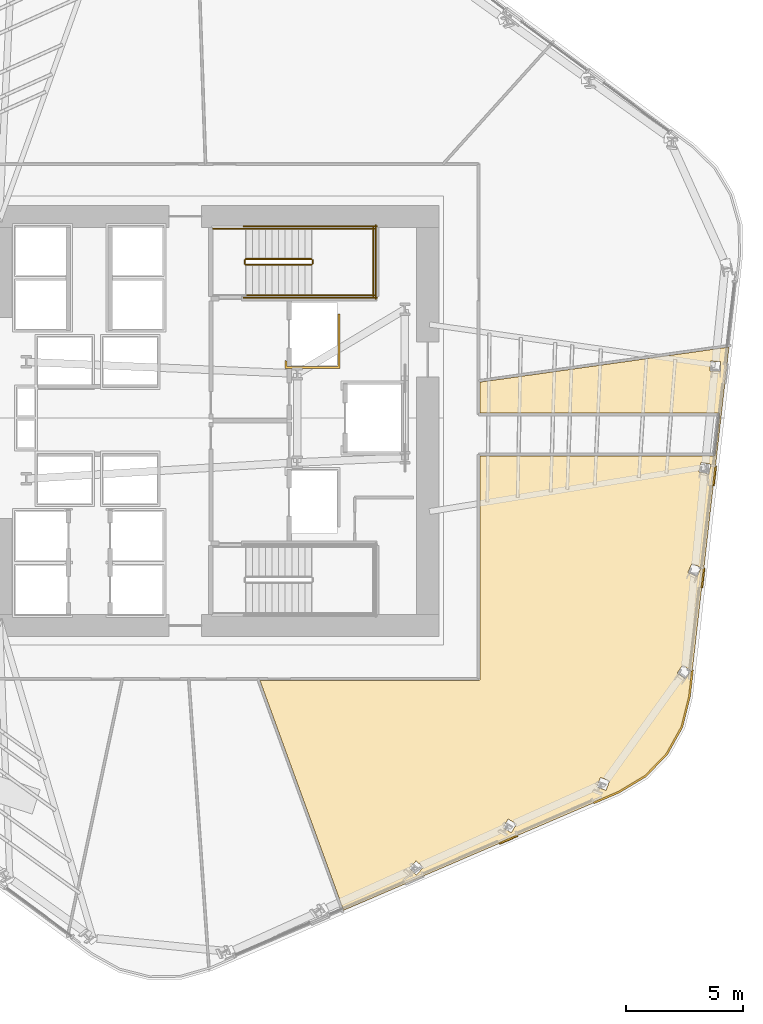
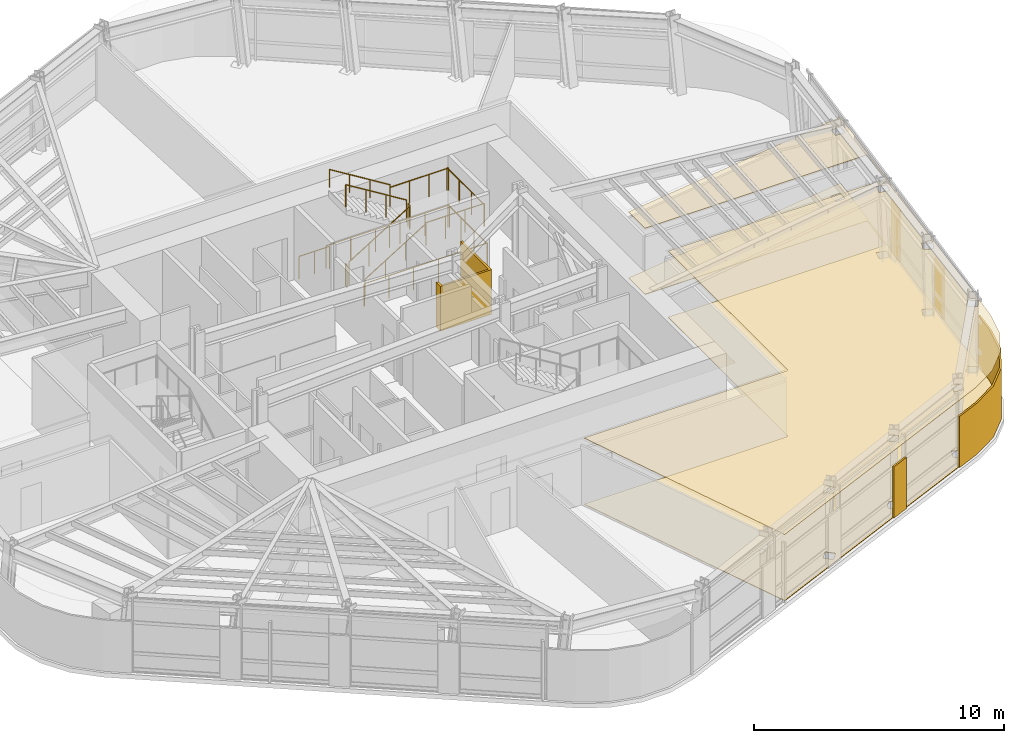
# One storey, part 14 of 16: 13 railings, 7 coverings.
"""IFC4 building model written with IfcOpenShell, lengths in metres."""

import ifcopenshell
import ifcopenshell.guid

model = None  # the IFC model being written
_history = None  # IfcOwnerHistory: only IFC2X3 demands one
_inside = {}  # id of a spatial element -> (the spatial element, [elements in it])
_under = {}  # id of a project, library or spatial element -> (it, [spatial elements below it])
_declared = {}  # id of a project -> (the project, [libraries it declares])
_typed = {}  # id of a type object -> (the type object, [elements of that type])
_made_of = {}  # id of a material, layer set ... -> (it, [elements and type objects made of it])


def new_model(schema):
    """Start an empty IFC model of exactly this schema.

    Asked for "IFC4X3", IfcOpenShell would pick the latest addendum, in which some entities
    have other attributes; the version numbers below select the first issue.
    IFC2X3 requires an IfcOwnerHistory on every rooted entity: one is made here for all.
    """
    global model, _history
    if schema == "IFC4X3":
        model = ifcopenshell.file(schema_version=(4, 3, 0, 0))
    else:
        model = ifcopenshell.file(schema=schema)
    _inside.clear()
    _under.clear()
    _declared.clear()
    _typed.clear()
    _made_of.clear()
    _history = None
    if model.schema == "IFC2X3":
        org = make("IfcOrganization", Name="unknown")
        user = make(
            "IfcPersonAndOrganization",
            ThePerson=make("IfcPerson", FamilyName="unknown"),
            TheOrganization=org,
        )
        app = make(
            "IfcApplication",
            ApplicationDeveloper=org,
            Version="unknown",
            ApplicationFullName="unknown",
            ApplicationIdentifier="unknown",
        )
        _history = make(
            "IfcOwnerHistory",
            OwningUser=user,
            OwningApplication=app,
            ChangeAction="ADDED",
            CreationDate=0,
        )
    return model


def make(cls, **values):
    """One entity of the class cls with the attributes given. An attribute that is None is left unset."""
    return model.create_entity(
        cls, **{name: value for name, value in values.items() if value is not None}
    )


def rooted(cls, **values):
    """An entity with a GlobalId (a new one), such as an element, a storey or a relation."""
    return make(cls, GlobalId=ifcopenshell.guid.new(), OwnerHistory=_history, **values)


def si_unit(unit_type, name, prefix=None):
    """IfcSIUnit, for example si_unit("LENGTHUNIT", "METRE", prefix="MILLI")."""
    return make("IfcSIUnit", UnitType=unit_type, Prefix=prefix, Name=name)


def assignment(units):
    """IfcUnitAssignment: the units of a project."""
    return None if units is None else make("IfcUnitAssignment", Units=units)


def point(xyz):
    """IfcCartesianPoint."""
    return None if xyz is None else make("IfcCartesianPoint", Coordinates=xyz)


def direction(xyz):
    """IfcDirection."""
    return None if xyz is None else make("IfcDirection", DirectionRatios=xyz)


def frame(location, z_axis=None, x_axis=None):
    """IfcAxis2Placement3D, a coordinate frame: its origin and axes. An axis left out is left unset."""
    return make(
        "IfcAxis2Placement3D",
        Location=point(location),
        Axis=direction(z_axis),
        RefDirection=direction(x_axis),
    )


def frame_2d(location, x_axis=None):
    """IfcAxis2Placement2D, a coordinate frame in the plane: its origin and x axis."""
    return make(
        "IfcAxis2Placement2D", Location=point(location), RefDirection=direction(x_axis)
    )


def origin():
    """The frame at (0, 0, 0) with its axes left unset."""
    return frame((0.0, 0.0, 0.0))


def origin_2d():
    """The frame at (0, 0) in the plane with its x axis left unset."""
    return frame_2d((0.0, 0.0))


def place(relative_to, where):
    """IfcLocalPlacement: puts the frame where relative to a parent placement (None: the world)."""
    return make(
        "IfcLocalPlacement", PlacementRelTo=relative_to, RelativePlacement=where
    )


def context(
    kind, dimensions, precision=None, world=None, true_north=None, identifier=None
):
    """IfcGeometricRepresentationContext, for example the 3D "Model" context."""
    return make(
        "IfcGeometricRepresentationContext",
        ContextIdentifier=identifier,
        ContextType=kind,
        CoordinateSpaceDimension=dimensions,
        Precision=precision,
        WorldCoordinateSystem=world,
        TrueNorth=true_north,
    )


def subcontext(parent, identifier, kind, view, scale=None):
    """IfcGeometricRepresentationSubContext, for example "Body" below "Model"."""
    return make(
        "IfcGeometricRepresentationSubContext",
        ContextIdentifier=identifier,
        ContextType=kind,
        ParentContext=parent,
        TargetScale=scale,
        TargetView=view,
    )


def project(units=None, contexts=None):
    """IfcProject with its units and contexts."""
    return rooted(
        "IfcProject",
        Name="project",
        RepresentationContexts=contexts,
        UnitsInContext=assignment(units),
    )


def spatial(cls, under=None, at=None, **own):
    """A site, building, storey or space (cls), placed at a placement, below another one or the project."""
    s = rooted(cls, ObjectPlacement=at, **own)
    if under is not None:
        _under.setdefault(under.id(), (under, []))[1].append(s)
    return s


def polyline(points):
    """IfcPolyline through the points."""
    return make("IfcPolyline", Points=[point(p) for p in points])


def profile(cls, at=None, kind="AREA", **sizes):
    """A parametric profile (cls). Its sizes go by their IFC names, for example OverallWidth=200.0."""
    return make(cls, ProfileType=kind, Position=at, **sizes)


def circle(**sizes):
    """IfcCircleProfileDef."""
    return profile("IfcCircleProfileDef", **sizes)


def outline(outer, holes=None, kind="AREA"):
    """IfcArbitraryClosedProfileDef: a profile drawn as a closed curve; with holes, ...WithVoids."""
    if holes is None:
        return make("IfcArbitraryClosedProfileDef", ProfileType=kind, OuterCurve=outer)
    return make(
        "IfcArbitraryProfileDefWithVoids",
        ProfileType=kind,
        OuterCurve=outer,
        InnerCurves=holes,
    )


def extrude(swept, where, along, depth):
    """IfcExtrudedAreaSolid: the profile swept, set in the frame where, extruded along a direction by depth."""
    return make(
        "IfcExtrudedAreaSolid",
        SweptArea=swept,
        Position=where,
        ExtrudedDirection=direction(along),
        Depth=depth,
    )


def shape(context_of_items, identifier, shape_type, items):
    """IfcShapeRepresentation: the items that make up one representation, for example the "Body"."""
    return make(
        "IfcShapeRepresentation",
        ContextOfItems=context_of_items,
        RepresentationIdentifier=identifier,
        RepresentationType=shape_type,
        Items=items,
    )


def material(Name=None, Category=None):
    """IfcMaterial."""
    return make("IfcMaterial", Name=Name, Category=Category)


def layer(
    of_material, thickness, ventilated=None, Name=None, Category=None, Priority=None
):
    """IfcMaterialLayer: one layer of a wall or slab, of a material (None: an air gap)."""
    return make(
        "IfcMaterialLayer",
        Material=of_material,
        LayerThickness=thickness,
        IsVentilated=ventilated,
        Name=Name,
        Category=Category,
        Priority=Priority,
    )


def layer_set(layers, Name=None):
    """IfcMaterialLayerSet."""
    return make("IfcMaterialLayerSet", MaterialLayers=layers, LayerSetName=Name)


def made_of(thing, what):
    """Note that an element or type object is made of a material, layer set ...; save() writes the relation."""
    if what is not None:
        _made_of.setdefault(what.id(), (what, []))[1].append(thing)
    return thing


def type_object(cls, material=None, **own):
    """A type object (cls), such as IfcWallType, which elements share."""
    return made_of(rooted(cls, **own), material)


def element(
    cls,
    number,
    at=None,
    inside=None,
    cuts=None,
    type_object=None,
    material=None,
    context=None,
    identifier="Body",
    shape_type=None,
    held_by="IfcProductDefinitionShape",
    body=None,
    shapes=None,
    **own,
):
    """One element of the class cls, such as IfcWall. Its Tag is "e" and its number.

    at: its placement. inside: the storey or other place that contains it. cuts: it is an
    opening in that element (IfcRelVoidsElement). A single representation is given by context,
    identifier, shape_type and body (its items); several are given by shapes. held_by: the class
    of the entity that holds the representations. save() writes the other relations.
    """
    e = rooted(cls, Tag="e%d" % number, ObjectPlacement=at, **own)
    if body is not None:
        shapes = [shape(context, identifier, shape_type, body)]
    if shapes is not None:
        e.Representation = make(held_by, Representations=shapes)
    if inside is not None:
        _inside.setdefault(inside.id(), (inside, []))[1].append(e)
    if cuts is not None:
        rooted(
            "IfcRelVoidsElement", RelatingBuildingElement=cuts, RelatedOpeningElement=e
        )
    if type_object is not None:
        _typed.setdefault(type_object.id(), (type_object, []))[1].append(e)
    return made_of(e, material)


def aggregate(whole, parts):
    """IfcRelAggregates: a whole, such as a stair, and the parts it consists of."""
    return rooted("IfcRelAggregates", RelatingObject=whole, RelatedObjects=parts)


def save(model, path):
    """Write the relations noted so far, then the file.

    IfcRelAggregates (storeys below a building ...), IfcRelContainedInSpatialStructure (elements
    in a storey), IfcRelDefinesByType, IfcRelAssociatesMaterial and IfcRelDeclares: one each for
    every whole, place, type object, material and project.
    """
    for whole, parts in _under.values():
        aggregate(whole, parts)
    for where, things in _inside.values():
        rooted(
            "IfcRelContainedInSpatialStructure",
            RelatedElements=things,
            RelatingStructure=where,
        )
    for kind, things in _typed.values():
        rooted("IfcRelDefinesByType", RelatedObjects=things, RelatingType=kind)
    for what, things in _made_of.values():
        rooted("IfcRelAssociatesMaterial", RelatedObjects=things, RelatingMaterial=what)
    for by, libraries in _declared.values():
        rooted("IfcRelDeclares", RelatingContext=by, RelatedDefinitions=libraries)
    model.write(path)


model = new_model("IFC4")

# Units and contexts
model_context = context("Model", 3, precision=1e-05, world=origin(), true_north=direction((0.0, 1.0)))
body_context = subcontext(model_context, "Body", "Model", "MODEL_VIEW")
ifc_project = project(units=[si_unit("LENGTHUNIT", "METRE"), si_unit("AREAUNIT", "SQUARE_METRE"), si_unit("VOLUMEUNIT", "CUBIC_METRE"), si_unit("PLANEANGLEUNIT", "RADIAN"), si_unit("MASSUNIT", "GRAM", prefix="KILO")], contexts=[model_context])

# Site, building, storey
site_placement = place(None, origin())
site = spatial("IfcSite", under=ifc_project, at=site_placement, CompositionType="ELEMENT")
building_placement = place(site_placement, origin())
building = spatial("IfcBuilding", under=site, at=building_placement, Name="Valkerne Bourse Tower", CompositionType="ELEMENT")
storey_placement = place(building_placement, frame((0.0, 0.0, 123.800048828125)))
storey = spatial("IfcBuildingStorey", under=building, at=storey_placement, Name="L31", CompositionType="ELEMENT", Elevation=123.800048828125)

# Coverings
ifc_material_1 = material(Name="Mineral Fiber Acoustic Ceiling Tile", Category="acoustic")
ifc_layer_1 = layer(ifc_material_1, 0.02490234375)
ifc_layer_set_1 = layer_set([ifc_layer_1], Name="Mineral Fiber Acoustic Ceiling Tile")
covering_type_1 = type_object("IfcCoveringType", Name="COV-CEIL-ACT", PredefinedType="CEILING", material=ifc_layer_set_1)
covering_1_placement = place(storey_placement, frame((0.0, 0.0, 3.22998046875)))
element("IfcCovering", 1, at=covering_1_placement, inside=storey, type_object=covering_type_1, Name="L31 Suspended Ceiling 11", PredefinedType="CEILING", context=body_context, shape_type="SweptSolid", body=[
    extrude(outline(polyline([(65.227294921875, 11.68505859375), (64.0869140625, 11.002685546875), (52.326416015625, 5.943115234375), (48.745849609375, 15.781005859375), (58.100341796875, 15.781005859375), (58.12890625, 15.787353515625), (58.151123046875, 15.803466796875), (58.1689453125, 15.84912109375), (58.1689453125, 25.381103515625), (68.15283203125, 25.381103515625), (68.193603515625, 25.39453125), (68.218994140625, 25.432373046875), (68.414306640625, 27.1455078125), (68.404541015625, 27.185546875), (68.368408203125, 27.21533203125), (58.1689453125, 27.218994140625), (58.1689453125, 28.5380859375), (68.8095703125, 30.03369140625), (67.111083984375, 15.07470703125), (66.787353515625, 13.785888671875), (66.1455078125, 12.6328125), (65.227294921875, 11.68505859375)]), holes=[polyline([(55.442138671875, 7.4619140625), (55.734130859375, 7.778564453125), (55.428466796875, 8.061767578125), (55.42578125, 8.060546875), (55.1337890625, 7.74365234375), (55.439453125, 7.46044921875), (55.442138671875, 7.4619140625)]), polyline([(59.501708984375, 9.264404296875), (59.722900390625, 9.6337890625), (59.3662109375, 9.84912109375), (59.363525390625, 9.84716796875), (59.142333984375, 9.4775390625), (59.499267578125, 9.262451171875), (59.501708984375, 9.264404296875)]), polyline([(63.701904296875, 11.4814453125), (63.31103515625, 11.625732421875), (63.308837890625, 11.623291015625), (63.160888671875, 11.218994140625), (63.5517578125, 11.07470703125), (63.553955078125, 11.076904296875), (63.701904296875, 11.4814453125)]), polyline([(67.18505859375, 16.18310546875), (66.832275390625, 16.432861328125), (66.592041015625, 16.09423828125), (66.590576171875, 16.09130859375), (66.943359375, 15.841796875), (67.183349609375, 16.18017578125), (67.18505859375, 16.18310546875)]), polyline([(67.616455078125, 20.598388671875), (67.222900390625, 20.77734375), (67.05078125, 20.399658203125), (67.0498046875, 20.396484375), (67.443115234375, 20.217529296875), (67.615478515625, 20.595458984375), (67.616455078125, 20.598388671875)]), polyline([(68.034912109375, 25.01123046875), (68.03515625, 25.014404296875), (67.61376953125, 25.109619140625), (67.521728515625, 24.704345703125), (67.521484375, 24.701416015625), (67.943115234375, 24.606201171875), (68.034912109375, 25.01123046875)]), polyline([(68.443603515625, 29.42041015625), (68.443359375, 29.423583984375), (68.01123046875, 29.430908203125), (68.003662109375, 29.015869140625), (68.00390625, 29.0126953125), (68.43603515625, 29.005126953125), (68.443603515625, 29.42041015625)])]), origin(), (0.0, 0.0, 1.0), 0.02490234375),
])
ifc_material_2 = material(Name="Bronze Anodised Aluminium AA 6063-T6", Category="aluminium")
ifc_layer_2 = layer(ifc_material_2, 0.06005859375)
ifc_layer_set_2 = layer_set([ifc_layer_2], Name="Bronze Anodised Aluminium AA 6063-T6")
covering_type_2 = type_object("IfcCoveringType", Name="COV-CRN-ALUM", PredefinedType="CLADDING", material=ifc_layer_set_2)
covering_2_placement = place(storey_placement, origin())
element("IfcCovering", 2, at=covering_2_placement, inside=storey, type_object=covering_type_2, Name="L31 Wind-Shaped Corner Aluminium Cladding 01", PredefinedType="CLADDING", context=body_context, shape_type="SweptSolid", body=[
    extrude(outline(polyline([(66.82861328125, 13.769287109375), (66.18115234375, 12.606201171875), (65.254638671875, 11.650390625), (64.10693359375, 10.96337890625), (63.033447265625, 10.501708984375), (63.001708984375, 10.574951171875), (64.070556640625, 11.034912109375), (65.20458984375, 11.713623046875), (66.1162109375, 12.654296875), (66.75341796875, 13.799072265625), (67.075439453125, 15.0810546875), (67.206787109375, 16.237060546875), (67.2861328125, 16.227783203125), (67.154296875, 15.06689453125), (66.82861328125, 13.769287109375)])), origin(), (0.0, 0.0, 1.0), 2.5),
])
covering_3_placement = place(storey_placement, origin())
element("IfcCovering", 3, at=covering_3_placement, inside=storey, type_object=covering_type_2, Name="L31 Wind-Shaped Corner Aluminium Cladding 02", PredefinedType="CLADDING", context=body_context, shape_type="SweptSolid", body=[
    extrude(outline(polyline([(59.00732421875, 8.76953125), (58.9755859375, 8.843017578125), (59.7470703125, 9.1748046875), (59.77880859375, 9.101318359375), (59.00732421875, 8.76953125)])), origin(), (0.0, 0.0, 1.0), 2.5),
])
covering_4_placement = place(storey_placement, origin())
element("IfcCovering", 4, at=covering_4_placement, inside=storey, type_object=covering_type_2, Name="L31 Wind-Shaped Corner Aluminium Cladding 23", PredefinedType="CLADDING", context=body_context, shape_type="SweptSolid", body=[
    extrude(outline(polyline([(68.180419921875, 24.103515625), (68.10107421875, 24.112548828125), (68.19580078125, 24.947265625), (68.275390625, 24.93798828125), (68.180419921875, 24.103515625)])), origin(), (0.0, 0.0, 1.0), 2.5),
])
covering_5_placement = place(storey_placement, origin())
element("IfcCovering", 5, at=covering_5_placement, inside=storey, type_object=covering_type_2, Name="L31 Wind-Shaped Corner Aluminium Cladding 24", PredefinedType="CLADDING", context=body_context, shape_type="SweptSolid", body=[
    extrude(outline(polyline([(67.68603515625, 19.748291015625), (67.6064453125, 19.757568359375), (67.701416015625, 20.59228515625), (67.78076171875, 20.5830078125), (67.68603515625, 19.748291015625)])), origin(), (0.0, 0.0, 1.0), 2.5),
])
ifc_material_3 = material(Name="Polished Granite Stone", Category="masonry")
ifc_layer_3 = layer(ifc_material_3, 0.030029296875)
ifc_layer_set_3 = layer_set([ifc_layer_3], Name="Polished Granite Stone")
covering_type_3 = type_object("IfcCoveringType", Name="COV-FLR-TERRAZZO", PredefinedType="FLOORING", material=ifc_layer_set_3)
covering_6_placement = place(storey_placement, origin())
element("IfcCovering", 6, at=covering_6_placement, inside=storey, type_object=covering_type_3, Name="L31 Floor Finish 11", PredefinedType="FLOORING", context=body_context, shape_type="SweptSolid", body=[
    extrude(outline(polyline([(65.227294921875, 11.68505859375), (64.0869140625, 11.002685546875), (52.326416015625, 5.943115234375), (48.745849609375, 15.781005859375), (58.100341796875, 15.781005859375), (58.12890625, 15.787353515625), (58.151123046875, 15.803466796875), (58.1689453125, 15.84912109375), (58.1689453125, 25.381103515625), (68.15283203125, 25.381103515625), (68.193603515625, 25.39453125), (68.218994140625, 25.432373046875), (68.414306640625, 27.1455078125), (68.404541015625, 27.185546875), (68.368408203125, 27.21533203125), (58.1689453125, 27.218994140625), (58.1689453125, 28.5380859375), (68.8095703125, 30.03369140625), (67.111083984375, 15.07470703125), (66.787353515625, 13.785888671875), (66.1455078125, 12.6328125), (65.227294921875, 11.68505859375)]), holes=[polyline([(55.442138671875, 7.4619140625), (55.734130859375, 7.778564453125), (55.428466796875, 8.061767578125), (55.42578125, 8.060546875), (55.1337890625, 7.74365234375), (55.439453125, 7.46044921875), (55.442138671875, 7.4619140625)]), polyline([(59.501708984375, 9.264404296875), (59.722900390625, 9.6337890625), (59.3662109375, 9.84912109375), (59.363525390625, 9.84716796875), (59.142333984375, 9.4775390625), (59.499267578125, 9.262451171875), (59.501708984375, 9.264404296875)]), polyline([(63.701904296875, 11.4814453125), (63.31103515625, 11.625732421875), (63.308837890625, 11.623291015625), (63.160888671875, 11.218994140625), (63.5517578125, 11.07470703125), (63.553955078125, 11.076904296875), (63.701904296875, 11.4814453125)]), polyline([(67.18505859375, 16.18310546875), (66.832275390625, 16.432861328125), (66.592041015625, 16.09423828125), (66.590576171875, 16.09130859375), (66.943359375, 15.841796875), (67.183349609375, 16.18017578125), (67.18505859375, 16.18310546875)]), polyline([(67.616455078125, 20.598388671875), (67.222900390625, 20.77734375), (67.05078125, 20.399658203125), (67.0498046875, 20.396484375), (67.443115234375, 20.217529296875), (67.615478515625, 20.595458984375), (67.616455078125, 20.598388671875)]), polyline([(68.034912109375, 25.01123046875), (68.03515625, 25.014404296875), (67.61376953125, 25.109619140625), (67.521728515625, 24.704345703125), (67.521484375, 24.701416015625), (67.943115234375, 24.606201171875), (68.034912109375, 25.01123046875)]), polyline([(68.443603515625, 29.42041015625), (68.443359375, 29.423583984375), (68.01123046875, 29.430908203125), (68.003662109375, 29.015869140625), (68.00390625, 29.0126953125), (68.43603515625, 29.005126953125), (68.443603515625, 29.42041015625)])]), origin(), (0.0, 0.0, 1.0), 0.030029296875),
])
ifc_material_4 = material(Name="Gypsum Shaftwall Liner Board", Category="gypsum")
ifc_layer_4 = layer(ifc_material_4, 0.080078125)
ifc_layer_set_4 = layer_set([ifc_layer_4], Name="Gypsum Shaftwall Liner Board")
covering_type_4 = type_object("IfcCoveringType", Name="COV-SHF-CLAD", PredefinedType="CLADDING", material=ifc_layer_set_4)
covering_7_placement = place(storey_placement, origin())
element("IfcCovering", 7, at=covering_7_placement, inside=storey, type_object=covering_type_4, Name="L31 Hoistway & Riser Shaftwall Liner 10", PredefinedType="CLADDING", context=body_context, shape_type="SweptSolid", body=[
    extrude(outline(polyline([(49.820068359375, 29.1201171875), (49.820068359375, 29.468017578125), (49.827880859375, 29.46435546875), (49.869384765625, 29.449462890625), (49.909912109375, 29.439208984375), (49.909912109375, 29.2099609375), (52.090087890625, 29.2099609375), (52.090087890625, 31.449951171875), (52.179931640625, 31.449951171875), (52.179931640625, 29.1201171875), (49.820068359375, 29.1201171875)])), origin(), (0.0, 0.0, 1.0), 2.179931640625),
])

# Railings
ifc_material_5 = material(Name="Galvanised Painted Steel", Category="steel")
railing_type_1 = type_object("IfcRailingType", Name="RLG-ST-GUARD-1120", PredefinedType="GUARDRAIL", material=ifc_material_5)
railing_1_placement = place(storey_placement, frame((48.14990234375, 33.550048828125, 0.172607421875)))
element("IfcRailing", 8, at=railing_1_placement, inside=storey, type_object=railing_type_1, Name="L31 ST-2 stair guard 1", PredefinedType="GUARDRAIL", context=body_context, shape_type="SweptSolid", body=[
    extrude(circle(Radius=0.02392578125, at=origin_2d()), frame((0.0, 0.0, 1.09619140625), z_axis=(0.851089632645, 0.0, 0.525020415988), x_axis=(0.0, 1.0, 0.0)), (0.0, 0.0, 1.0), 3.2900390625),
    extrude(circle(Radius=0.02099609375, at=origin_2d()), origin(), (0.0, 0.0, 1.0), 1.072021484375),
    extrude(circle(Radius=0.02099609375, at=origin_2d()), frame((0.933349609375, 0.0, 0.57568359375)), (0.0, 0.0, 1.0), 1.072021484375),
    extrude(circle(Radius=0.02099609375, at=origin_2d()), frame((1.86669921875, 0.0, 1.151611328125)), (0.0, 0.0, 1.0), 1.072021484375),
    extrude(circle(Radius=0.02099609375, at=origin_2d()), frame((2.800048828125, 0.0, 1.727294921875)), (0.0, 0.0, 1.0), 1.072021484375),
])
railing_2_placement = place(storey_placement, frame((51.0, 33.60009765625, 1.89990234375)))
element("IfcRailing", 9, at=railing_2_placement, inside=storey, type_object=railing_type_1, Name="L31 ST-2 stair guard 2", PredefinedType="GUARDRAIL", context=body_context, shape_type="SweptSolid", body=[
    extrude(circle(Radius=0.02392578125, at=origin_2d()), frame((0.0, 0.0, 1.09619140625), z_axis=(0.0, 1.0, 0.0), x_axis=(-1.0, 0.0, 0.0)), (0.0, 0.0, 1.0), 0.14990234375),
    extrude(circle(Radius=0.02099609375, at=origin_2d()), origin(), (0.0, 0.0, 1.0), 1.072021484375),
    extrude(circle(Radius=0.02099609375, at=origin_2d()), frame((0.0, 0.14990234375, 0.0)), (0.0, 0.0, 1.0), 1.072021484375),
])
for number, where, name in (
    (10, (50.949951171875, 32.25, 1.89990234375), "L31 ST-2 stair guard 3"),
    (11, (50.949951171875, 35.10009765625, 1.89990234375), "L31 ST-2 stair guard 4"),
):
    element("IfcRailing", number, at=place(storey_placement, frame(where)), inside=storey, type_object=railing_type_1, Name=name, PredefinedType="GUARDRAIL", context=body_context, shape_type="SweptSolid", body=[
        extrude(circle(Radius=0.02392578125, at=origin_2d()), frame((0.0, 0.0, 1.09619140625), z_axis=(1.0, 0.0, 0.0), x_axis=(0.0, 1.0, 0.0)), (0.0, 0.0, 1.0), 2.699951171875),
        extrude(circle(Radius=0.02099609375, at=origin_2d()), origin(), (0.0, 0.0, 1.0), 1.072021484375),
        extrude(circle(Radius=0.02099609375, at=origin_2d()), frame((0.89990234375, 0.0, 0.0)), (0.0, 0.0, 1.0), 1.072021484375),
        extrude(circle(Radius=0.02099609375, at=origin_2d()), frame((1.800048828125, 0.0, 0.0)), (0.0, 0.0, 1.0), 1.072021484375),
        extrude(circle(Radius=0.02099609375, at=origin_2d()), frame((2.699951171875, 0.0, 0.0)), (0.0, 0.0, 1.0), 1.072021484375),
    ])
railing_3_placement = place(storey_placement, frame((53.60009765625, 32.199951171875, 1.89990234375)))
element("IfcRailing", 12, at=railing_3_placement, inside=storey, type_object=railing_type_1, Name="L31 ST-2 stair guard 5", PredefinedType="GUARDRAIL", context=body_context, shape_type="SweptSolid", body=[
    extrude(circle(Radius=0.02392578125, at=origin_2d()), frame((0.0, 0.0, 1.09619140625), z_axis=(0.0, 1.0, 0.0), x_axis=(-1.0, 0.0, 0.0)), (0.0, 0.0, 1.0), 2.949951171875),
    extrude(circle(Radius=0.02099609375, at=origin_2d()), origin(), (0.0, 0.0, 1.0), 1.072021484375),
    extrude(circle(Radius=0.02099609375, at=origin_2d()), frame((0.0, 0.9833984375, 0.0)), (0.0, 0.0, 1.0), 1.072021484375),
    extrude(circle(Radius=0.02099609375, at=origin_2d()), frame((0.0, 1.966552734375, 0.0)), (0.0, 0.0, 1.0), 1.072021484375),
    extrude(circle(Radius=0.02099609375, at=origin_2d()), frame((0.0, 2.949951171875, 0.0)), (0.0, 0.0, 1.0), 1.072021484375),
])
railing_4_placement = place(storey_placement, frame((50.949951171875, 33.800048828125, 2.07275390625)))
element("IfcRailing", 13, at=railing_4_placement, inside=storey, type_object=railing_type_1, Name="L31 ST-2 stair guard 6", PredefinedType="GUARDRAIL", context=body_context, shape_type="SweptSolid", body=[
    extrude(circle(Radius=0.02392578125, at=origin_2d()), frame((0.0, 0.0, 1.09619140625), z_axis=(-0.851089632645, 0.0, 0.525020415988), x_axis=(0.0, -1.0, 0.0)), (0.0, 0.0, 1.0), 3.2900390625),
    extrude(circle(Radius=0.02099609375, at=origin_2d()), origin(), (0.0, 0.0, 1.0), 1.072021484375),
    extrude(circle(Radius=0.02099609375, at=origin_2d()), frame((-0.933349609375, 0.0, 0.57568359375)), (0.0, 0.0, 1.0), 1.072021484375),
    extrude(circle(Radius=0.02099609375, at=origin_2d()), frame((-1.86669921875, 0.0, 1.151611328125)), (0.0, 0.0, 1.0), 1.072021484375),
    extrude(circle(Radius=0.02099609375, at=origin_2d()), frame((-2.800048828125, 0.0, 1.727294921875)), (0.0, 0.0, 1.0), 1.072021484375),
])
railing_5_placement = place(storey_placement, frame((48.10009765625, 33.60009765625, 0.0)))
element("IfcRailing", 14, at=railing_5_placement, inside=storey, type_object=railing_type_1, Name="L31 ST-2 stair guard 7", PredefinedType="GUARDRAIL", context=body_context, shape_type="SweptSolid", body=[
    extrude(circle(Radius=0.02392578125, at=origin_2d()), frame((0.0, 0.0, 1.09619140625), z_axis=(0.0, 1.0, 0.0), x_axis=(-1.0, 0.0, 0.0)), (0.0, 0.0, 1.0), 0.14990234375),
    extrude(circle(Radius=0.02099609375, at=origin_2d()), origin(), (0.0, 0.0, 1.0), 1.072021484375),
    extrude(circle(Radius=0.02099609375, at=origin_2d()), frame((0.0, 0.14990234375, 0.0)), (0.0, 0.0, 1.0), 1.072021484375),
])
railing_6_placement = place(storey_placement, frame((46.75, 35.10009765625, 0.0)))
element("IfcRailing", 15, at=railing_6_placement, inside=storey, type_object=railing_type_1, Name="L31 ST-2 stair guard 9", PredefinedType="GUARDRAIL", context=body_context, shape_type="SweptSolid", body=[
    extrude(circle(Radius=0.02392578125, at=origin_2d()), frame((0.0, 0.0, 1.09619140625), z_axis=(1.0, 0.0, 0.0), x_axis=(0.0, 1.0, 0.0)), (0.0, 0.0, 1.0), 1.39990234375),
    extrude(circle(Radius=0.02099609375, at=origin_2d()), origin(), (0.0, 0.0, 1.0), 1.072021484375),
    extrude(circle(Radius=0.02099609375, at=origin_2d()), frame((0.699951171875, 0.0, 0.0)), (0.0, 0.0, 1.0), 1.072021484375),
    extrude(circle(Radius=0.02099609375, at=origin_2d()), frame((1.39990234375, 0.0, 0.0)), (0.0, 0.0, 1.0), 1.072021484375),
])
for number, where, name in (
    (16, (48.050048828125, 32.14990234375, 0.0), "L31 ST-2 stair guard 10"),
    (17, (48.050048828125, 35.199951171875, 0.0), "L31 ST-2 stair guard 11"),
):
    element("IfcRailing", number, at=place(storey_placement, frame(where)), inside=storey, type_object=railing_type_1, Name=name, PredefinedType="GUARDRAIL", context=body_context, shape_type="SweptSolid", body=[
        extrude(circle(Radius=0.02392578125, at=origin_2d()), frame((0.0, 0.0, 1.09619140625), z_axis=(1.0, 0.0, 0.0), x_axis=(0.0, 1.0, 0.0)), (0.0, 0.0, 1.0), 5.699951171875),
        extrude(circle(Radius=0.02099609375, at=origin_2d()), origin(), (0.0, 0.0, 1.0), 1.072021484375),
        extrude(circle(Radius=0.02099609375, at=origin_2d()), frame((1.139892578125, 0.0, 0.0)), (0.0, 0.0, 1.0), 1.072021484375),
        extrude(circle(Radius=0.02099609375, at=origin_2d()), frame((2.280029296875, 0.0, 0.0)), (0.0, 0.0, 1.0), 1.072021484375),
        extrude(circle(Radius=0.02099609375, at=origin_2d()), frame((3.419921875, 0.0, 0.0)), (0.0, 0.0, 1.0), 1.072021484375),
        extrude(circle(Radius=0.02099609375, at=origin_2d()), frame((4.56005859375, 0.0, 0.0)), (0.0, 0.0, 1.0), 1.072021484375),
        extrude(circle(Radius=0.02099609375, at=origin_2d()), frame((5.699951171875, 0.0, 0.0)), (0.0, 0.0, 1.0), 1.072021484375),
    ])
railing_7_placement = place(storey_placement, frame((53.699951171875, 32.10009765625, 0.0)))
element("IfcRailing", 18, at=railing_7_placement, inside=storey, type_object=railing_type_1, Name="L31 ST-2 stair guard 12", PredefinedType="GUARDRAIL", context=body_context, shape_type="SweptSolid", body=[
    extrude(circle(Radius=0.02392578125, at=origin_2d()), frame((0.0, 0.0, 1.09619140625), z_axis=(0.0, 1.0, 0.0), x_axis=(-1.0, 0.0, 0.0)), (0.0, 0.0, 1.0), 3.14990234375),
    extrude(circle(Radius=0.02099609375, at=origin_2d()), origin(), (0.0, 0.0, 1.0), 1.072021484375),
    extrude(circle(Radius=0.02099609375, at=origin_2d()), frame((0.0, 1.050048828125, 0.0)), (0.0, 0.0, 1.0), 1.072021484375),
    extrude(circle(Radius=0.02099609375, at=origin_2d()), frame((0.0, 2.099853515625, 0.0)), (0.0, 0.0, 1.0), 1.072021484375),
    extrude(circle(Radius=0.02099609375, at=origin_2d()), frame((0.0, 3.14990234375, 0.0)), (0.0, 0.0, 1.0), 1.072021484375),
])
ifc_material_6 = material(Name="Stainless Steel AISI 316", Category="steel")
railing_type_2 = type_object("IfcRailingType", Name="RLG-ST-HANDRAIL-900", PredefinedType="HANDRAIL", material=ifc_material_6)
railing_8_placement = place(storey_placement, frame((48.14990234375, 32.25, 0.345458984375)))
element("IfcRailing", 19, at=railing_8_placement, inside=storey, type_object=railing_type_2, Name="L31 ST-2 stair handrail 1", PredefinedType="HANDRAIL", context=body_context, shape_type="SweptSolid", body=[
    extrude(circle(Radius=0.02392578125, at=origin_2d()), frame((0.0, 0.0, 0.8759765625), z_axis=(0.851089632645, 0.0, 0.525020415988), x_axis=(0.0, 1.0, 0.0)), (0.0, 0.0, 1.0), 3.2900390625),
    extrude(circle(Radius=0.02099609375, at=origin_2d()), origin(), (0.0, 0.0, 1.0), 0.851806640625),
    extrude(circle(Radius=0.02099609375, at=origin_2d()), frame((0.933349609375, 0.0, 0.57568359375)), (0.0, 0.0, 1.0), 0.851806640625),
    extrude(circle(Radius=0.02099609375, at=origin_2d()), frame((1.86669921875, 0.0, 1.151611328125)), (0.0, 0.0, 1.0), 0.851806640625),
    extrude(circle(Radius=0.02099609375, at=origin_2d()), frame((2.800048828125, 0.0, 1.727294921875)), (0.0, 0.0, 1.0), 0.851806640625),
])
railing_9_placement = place(storey_placement, frame((50.949951171875, 35.10009765625, 2.245361328125)))
element("IfcRailing", 20, at=railing_9_placement, inside=storey, type_object=railing_type_2, Name="L31 ST-2 stair handrail 2", PredefinedType="HANDRAIL", context=body_context, shape_type="SweptSolid", body=[
    extrude(circle(Radius=0.02392578125, at=origin_2d()), frame((0.0, 0.0, 0.8759765625), z_axis=(-0.851089632645, 0.0, 0.525020415988), x_axis=(0.0, -1.0, 0.0)), (0.0, 0.0, 1.0), 3.2900390625),
    extrude(circle(Radius=0.02099609375, at=origin_2d()), origin(), (0.0, 0.0, 1.0), 0.851806640625),
    extrude(circle(Radius=0.02099609375, at=origin_2d()), frame((-0.933349609375, 0.0, 0.57568359375)), (0.0, 0.0, 1.0), 0.851806640625),
    extrude(circle(Radius=0.02099609375, at=origin_2d()), frame((-1.86669921875, 0.0, 1.151611328125)), (0.0, 0.0, 1.0), 0.851806640625),
    extrude(circle(Radius=0.02099609375, at=origin_2d()), frame((-2.800048828125, 0.0, 1.727294921875)), (0.0, 0.0, 1.0), 0.851806640625),
])

save(model, "model.ifc")
